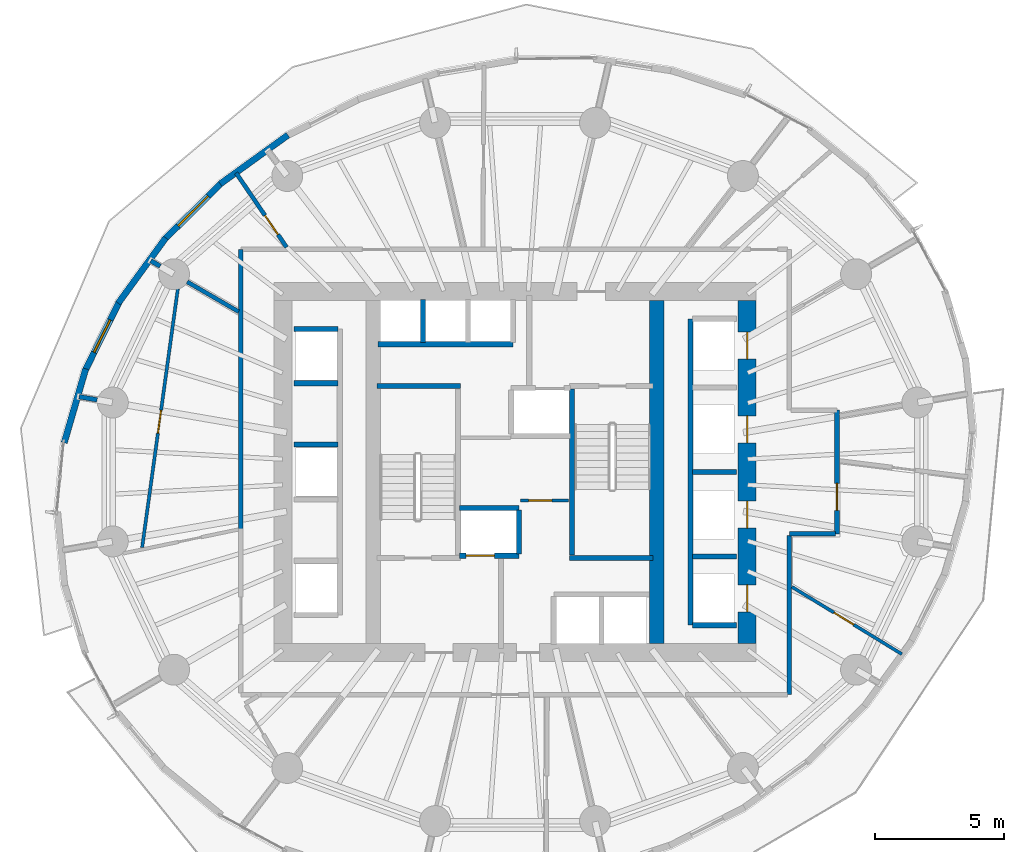
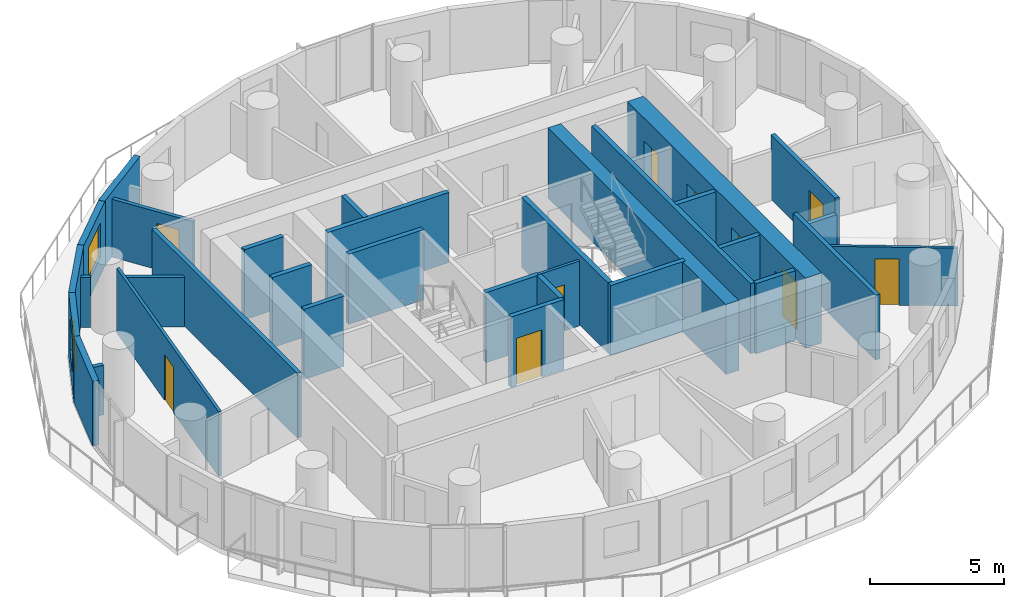
# One storey, part 8 of 14: 33 walls, 10 doors, 2 windows, 12 openings.
"""IFC4 building model written with IfcOpenShell, lengths in metres."""

import ifcopenshell
import ifcopenshell.guid

model = None  # the IFC model being written
_history = None  # IfcOwnerHistory: only IFC2X3 demands one
_inside = {}  # id of a spatial element -> (the spatial element, [elements in it])
_under = {}  # id of a project, library or spatial element -> (it, [spatial elements below it])
_declared = {}  # id of a project -> (the project, [libraries it declares])
_typed = {}  # id of a type object -> (the type object, [elements of that type])
_made_of = {}  # id of a material, layer set ... -> (it, [elements and type objects made of it])


def new_model(schema):
    """Start an empty IFC model of exactly this schema.

    Asked for "IFC4X3", IfcOpenShell would pick the latest addendum, in which some entities
    have other attributes; the version numbers below select the first issue.
    IFC2X3 requires an IfcOwnerHistory on every rooted entity: one is made here for all.
    """
    global model, _history
    if schema == "IFC4X3":
        model = ifcopenshell.file(schema_version=(4, 3, 0, 0))
    else:
        model = ifcopenshell.file(schema=schema)
    _inside.clear()
    _under.clear()
    _declared.clear()
    _typed.clear()
    _made_of.clear()
    _history = None
    if model.schema == "IFC2X3":
        org = make("IfcOrganization", Name="unknown")
        user = make(
            "IfcPersonAndOrganization",
            ThePerson=make("IfcPerson", FamilyName="unknown"),
            TheOrganization=org,
        )
        app = make(
            "IfcApplication",
            ApplicationDeveloper=org,
            Version="unknown",
            ApplicationFullName="unknown",
            ApplicationIdentifier="unknown",
        )
        _history = make(
            "IfcOwnerHistory",
            OwningUser=user,
            OwningApplication=app,
            ChangeAction="ADDED",
            CreationDate=0,
        )
    return model


def make(cls, **values):
    """One entity of the class cls with the attributes given. An attribute that is None is left unset."""
    return model.create_entity(
        cls, **{name: value for name, value in values.items() if value is not None}
    )


def rooted(cls, **values):
    """An entity with a GlobalId (a new one), such as an element, a storey or a relation."""
    return make(cls, GlobalId=ifcopenshell.guid.new(), OwnerHistory=_history, **values)


def si_unit(unit_type, name, prefix=None):
    """IfcSIUnit, for example si_unit("LENGTHUNIT", "METRE", prefix="MILLI")."""
    return make("IfcSIUnit", UnitType=unit_type, Prefix=prefix, Name=name)


def assignment(units):
    """IfcUnitAssignment: the units of a project."""
    return None if units is None else make("IfcUnitAssignment", Units=units)


def point(xyz):
    """IfcCartesianPoint."""
    return None if xyz is None else make("IfcCartesianPoint", Coordinates=xyz)


def direction(xyz):
    """IfcDirection."""
    return None if xyz is None else make("IfcDirection", DirectionRatios=xyz)


def frame(location, z_axis=None, x_axis=None):
    """IfcAxis2Placement3D, a coordinate frame: its origin and axes. An axis left out is left unset."""
    return make(
        "IfcAxis2Placement3D",
        Location=point(location),
        Axis=direction(z_axis),
        RefDirection=direction(x_axis),
    )


def frame_2d(location, x_axis=None):
    """IfcAxis2Placement2D, a coordinate frame in the plane: its origin and x axis."""
    return make(
        "IfcAxis2Placement2D", Location=point(location), RefDirection=direction(x_axis)
    )


def origin():
    """The frame at (0, 0, 0) with its axes left unset."""
    return frame((0.0, 0.0, 0.0))


def place(relative_to, where):
    """IfcLocalPlacement: puts the frame where relative to a parent placement (None: the world)."""
    return make(
        "IfcLocalPlacement", PlacementRelTo=relative_to, RelativePlacement=where
    )


def context(
    kind, dimensions, precision=None, world=None, true_north=None, identifier=None
):
    """IfcGeometricRepresentationContext, for example the 3D "Model" context."""
    return make(
        "IfcGeometricRepresentationContext",
        ContextIdentifier=identifier,
        ContextType=kind,
        CoordinateSpaceDimension=dimensions,
        Precision=precision,
        WorldCoordinateSystem=world,
        TrueNorth=true_north,
    )


def subcontext(parent, identifier, kind, view, scale=None):
    """IfcGeometricRepresentationSubContext, for example "Body" below "Model"."""
    return make(
        "IfcGeometricRepresentationSubContext",
        ContextIdentifier=identifier,
        ContextType=kind,
        ParentContext=parent,
        TargetScale=scale,
        TargetView=view,
    )


def project(units=None, contexts=None):
    """IfcProject with its units and contexts."""
    return rooted(
        "IfcProject",
        Name="project",
        RepresentationContexts=contexts,
        UnitsInContext=assignment(units),
    )


def spatial(cls, under=None, at=None, **own):
    """A site, building, storey or space (cls), placed at a placement, below another one or the project."""
    s = rooted(cls, ObjectPlacement=at, **own)
    if under is not None:
        _under.setdefault(under.id(), (under, []))[1].append(s)
    return s


def profile(cls, at=None, kind="AREA", **sizes):
    """A parametric profile (cls). Its sizes go by their IFC names, for example OverallWidth=200.0."""
    return make(cls, ProfileType=kind, Position=at, **sizes)


def rectangle(**sizes):
    """IfcRectangleProfileDef."""
    return profile("IfcRectangleProfileDef", **sizes)


def extrude(swept, where, along, depth):
    """IfcExtrudedAreaSolid: the profile swept, set in the frame where, extruded along a direction by depth."""
    return make(
        "IfcExtrudedAreaSolid",
        SweptArea=swept,
        Position=where,
        ExtrudedDirection=direction(along),
        Depth=depth,
    )


def shape(context_of_items, identifier, shape_type, items):
    """IfcShapeRepresentation: the items that make up one representation, for example the "Body"."""
    return make(
        "IfcShapeRepresentation",
        ContextOfItems=context_of_items,
        RepresentationIdentifier=identifier,
        RepresentationType=shape_type,
        Items=items,
    )


def material(Name=None, Category=None):
    """IfcMaterial."""
    return make("IfcMaterial", Name=Name, Category=Category)


def layer(
    of_material, thickness, ventilated=None, Name=None, Category=None, Priority=None
):
    """IfcMaterialLayer: one layer of a wall or slab, of a material (None: an air gap)."""
    return make(
        "IfcMaterialLayer",
        Material=of_material,
        LayerThickness=thickness,
        IsVentilated=ventilated,
        Name=Name,
        Category=Category,
        Priority=Priority,
    )


def layer_set(layers, Name=None):
    """IfcMaterialLayerSet."""
    return make("IfcMaterialLayerSet", MaterialLayers=layers, LayerSetName=Name)


def made_of(thing, what):
    """Note that an element or type object is made of a material, layer set ...; save() writes the relation."""
    if what is not None:
        _made_of.setdefault(what.id(), (what, []))[1].append(thing)
    return thing


def type_object(cls, material=None, **own):
    """A type object (cls), such as IfcWallType, which elements share."""
    return made_of(rooted(cls, **own), material)


def element(
    cls,
    number,
    at=None,
    inside=None,
    cuts=None,
    type_object=None,
    material=None,
    context=None,
    identifier="Body",
    shape_type=None,
    held_by="IfcProductDefinitionShape",
    body=None,
    shapes=None,
    **own,
):
    """One element of the class cls, such as IfcWall. Its Tag is "e" and its number.

    at: its placement. inside: the storey or other place that contains it. cuts: it is an
    opening in that element (IfcRelVoidsElement). A single representation is given by context,
    identifier, shape_type and body (its items); several are given by shapes. held_by: the class
    of the entity that holds the representations. save() writes the other relations.
    """
    e = rooted(cls, Tag="e%d" % number, ObjectPlacement=at, **own)
    if body is not None:
        shapes = [shape(context, identifier, shape_type, body)]
    if shapes is not None:
        e.Representation = make(held_by, Representations=shapes)
    if inside is not None:
        _inside.setdefault(inside.id(), (inside, []))[1].append(e)
    if cuts is not None:
        rooted(
            "IfcRelVoidsElement", RelatingBuildingElement=cuts, RelatedOpeningElement=e
        )
    if type_object is not None:
        _typed.setdefault(type_object.id(), (type_object, []))[1].append(e)
    return made_of(e, material)


def fill(opening, filler):
    """IfcRelFillsElement: the door or window that sits in an opening."""
    return rooted(
        "IfcRelFillsElement",
        RelatingOpeningElement=opening,
        RelatedBuildingElement=filler,
    )


def aggregate(whole, parts):
    """IfcRelAggregates: a whole, such as a stair, and the parts it consists of."""
    return rooted("IfcRelAggregates", RelatingObject=whole, RelatedObjects=parts)


def save(model, path):
    """Write the relations noted so far, then the file.

    IfcRelAggregates (storeys below a building ...), IfcRelContainedInSpatialStructure (elements
    in a storey), IfcRelDefinesByType, IfcRelAssociatesMaterial and IfcRelDeclares: one each for
    every whole, place, type object, material and project.
    """
    for whole, parts in _under.values():
        aggregate(whole, parts)
    for where, things in _inside.values():
        rooted(
            "IfcRelContainedInSpatialStructure",
            RelatedElements=things,
            RelatingStructure=where,
        )
    for kind, things in _typed.values():
        rooted("IfcRelDefinesByType", RelatedObjects=things, RelatingType=kind)
    for what, things in _made_of.values():
        rooted("IfcRelAssociatesMaterial", RelatedObjects=things, RelatingMaterial=what)
    for by, libraries in _declared.values():
        rooted("IfcRelDeclares", RelatingContext=by, RelatedDefinitions=libraries)
    model.write(path)


model = new_model("IFC4")

# Units and contexts
model_context = context("Model", 3, precision=1e-05, world=origin(), true_north=direction((0.0, 1.0)))
body_context = subcontext(model_context, "Body", "Model", "MODEL_VIEW")
ifc_project = project(units=[si_unit("LENGTHUNIT", "METRE"), si_unit("AREAUNIT", "SQUARE_METRE"), si_unit("VOLUMEUNIT", "CUBIC_METRE"), si_unit("PLANEANGLEUNIT", "RADIAN"), si_unit("MASSUNIT", "GRAM", prefix="KILO")], contexts=[model_context])

# Site, building, storey
site_placement = place(None, origin())
site = spatial("IfcSite", under=ifc_project, at=site_placement, CompositionType="ELEMENT")
building_placement = place(site_placement, origin())
building = spatial("IfcBuilding", under=site, at=building_placement, Name="Veldorim Arch Residences", CompositionType="ELEMENT")
storey_placement = place(building_placement, frame((0.0, 0.0, 96.47998046875)))
storey = spatial("IfcBuildingStorey", under=building, at=storey_placement, Name="L28", CompositionType="ELEMENT", Elevation=96.47998046875)

# Wall, opening, door
ifc_material_1 = material(Name="Acoustic Gypsum Board", Category="gypsum")
ifc_layer_1 = layer(ifc_material_1, 0.125, Name="Acoustic Stud Room Partition Wall 125")
ifc_layer_set_1 = layer_set([ifc_layer_1], Name="Acoustic Gypsum Board")
wall_type_1 = type_object("IfcWallType", Name="Acoustic Stud Room Partition Wall 125", PredefinedType="PARTITIONING", material=ifc_layer_set_1)
wall_1_placement = place(storey_placement, frame((32.219970703125, 22.89990234375, 0.0), z_axis=(0.0, 0.0, 1.0), x_axis=(1.0, 0.0, 0.0)))
wall_1 = element("IfcWall", 1, at=wall_1_placement, inside=storey, type_object=wall_type_1, Name="L28 interior wall WL-CA-L28-2", PredefinedType="PARTITIONING", context=body_context, shape_type="SweptSolid", body=[
    extrude(rectangle(XDim=1.860107421875, YDim=0.125, at=frame_2d((0.93017578125, 0.0))), origin(), (0.0, 0.0, 1.0), 2.955078125),
])
opening_1_placement = place(wall_1_placement, frame((0.31005859375, 0.0, 0.0)))
opening_1 = element("IfcOpeningElement", 2, at=opening_1_placement, cuts=wall_1, Name="Opening DR-SVC", PredefinedType="OPENING", context=body_context, shape_type="SweptSolid", body=[
    extrude(rectangle(XDim=0.89990234375, YDim=2.10009765625, at=frame_2d((0.449951171875, 1.050048828125))), frame((0.0, 0.072509765625, 0.0), z_axis=(0.0, -1.0, 0.0), x_axis=(1.0, 0.0, 0.0)), (0.0, 0.0, 1.0), 0.14501953125),
])
ifc_material_2 = material(Name="Fire-Rated Steel", Category="steel")
door_type_1 = type_object("IfcDoorType", Name="Riser, Shelter & Plant Room Rated Steel Door 900x2100", OperationType="SINGLE_SWING_LEFT", PredefinedType="DOOR", material=ifc_material_2)
door_1_placement = place(opening_1_placement, origin())
door_1 = element("IfcDoor", 3, at=door_1_placement, inside=storey, type_object=door_type_1, Name="L28 interior door DR-L28-CA1", OperationType="SINGLE_SWING_RIGHT", OverallHeight=2.10009765625, OverallWidth=0.89990234375, PredefinedType="DOOR", context=body_context, shape_type="SweptSolid", body=[
    extrude(rectangle(XDim=0.89990234375, YDim=2.10009765625, at=frame_2d((0.449951171875, 1.050048828125))), frame((0.0, 0.02490234375, 0.0), z_axis=(0.0, -1.0, 0.0), x_axis=(1.0, 0.0, 0.0)), (0.0, 0.0, 1.0), 0.050048828125),
])
fill(opening_1, door_1)

wall_2_placement = place(storey_placement, frame((46.994873046875, 16.9404296875, 0.0), z_axis=(0.0, 0.0, 1.0), x_axis=(-0.85322505129, 0.521542914678, 0.0)))
wall_2 = element("IfcWall", 4, at=wall_2_placement, inside=storey, type_object=wall_type_1, Name="L28 interior wall WL-RES-L28-018", PredefinedType="PARTITIONING", context=body_context, shape_type="SweptSolid", body=[
    extrude(rectangle(XDim=4.99560546875, YDim=0.125, at=frame_2d((2.497802734375, 0.0))), origin(), (0.0, 0.0, 1.0), 2.641357421875),
])
opening_2_placement = place(wall_2_placement, frame((2.187744140625, 0.0, 0.0)))
opening_2 = element("IfcOpeningElement", 5, at=opening_2_placement, cuts=wall_2, Name="Opening DR-INT", PredefinedType="OPENING", context=body_context, shape_type="SweptSolid", body=[
    extrude(rectangle(XDim=0.89990234375, YDim=2.10009765625, at=frame_2d((0.449951171875, 1.050048828125))), frame((0.0, 0.072509765625, 0.0), z_axis=(0.0, -1.0, 0.0), x_axis=(1.0, 0.0, 0.0)), (0.0, 0.0, 1.0), 0.14501953125),
])
ifc_material_3 = material(Name="Engineered Timber", Category="wood")
door_type_2 = type_object("IfcDoorType", Name="Apartment Internal Room Timber Door 900x2100", OperationType="SINGLE_SWING_LEFT", PredefinedType="DOOR", material=ifc_material_3)
door_2_placement = place(opening_2_placement, origin())
door_2 = element("IfcDoor", 6, at=door_2_placement, inside=storey, type_object=door_type_2, Name="L28 interior door DR-RES-L28-006", OperationType="SINGLE_SWING_RIGHT", OverallHeight=2.10009765625, OverallWidth=0.89990234375, PredefinedType="DOOR", context=body_context, shape_type="SweptSolid", body=[
    extrude(rectangle(XDim=0.89990234375, YDim=2.10009765625, at=frame_2d((0.449951171875, 1.050048828125))), frame((0.0, 0.02490234375, 0.0), z_axis=(0.0, -1.0, 0.0), x_axis=(1.0, 0.0, 0.0)), (0.0, 0.0, 1.0), 0.050048828125),
])
fill(opening_2, door_2)

wall_3_placement = place(storey_placement, frame((17.542236328125, 21.072509765625, 0.0), z_axis=(0.0, 0.0, 1.0), x_axis=(0.136714950607, 0.99061042912, 0.0)))
wall_3 = element("IfcWall", 7, at=wall_3_placement, inside=storey, type_object=wall_type_1, Name="L28 interior wall WL-RES-L28-032", PredefinedType="PARTITIONING", context=body_context, shape_type="SweptSolid", body=[
    extrude(rectangle(XDim=10.119873046875, YDim=0.125, at=frame_2d((5.06005859375, 0.0))), origin(), (0.0, 0.0, 1.0), 2.955078125),
])
opening_3_placement = place(wall_3_placement, frame((4.469970703125, 0.0, 0.0)))
opening_3 = element("IfcOpeningElement", 8, at=opening_3_placement, cuts=wall_3, Name="Opening DR-INT", PredefinedType="OPENING", context=body_context, shape_type="SweptSolid", body=[
    extrude(rectangle(XDim=0.89990234375, YDim=2.10009765625, at=frame_2d((0.449951171875, 1.050048828125))), frame((0.0, 0.072509765625, 0.0), z_axis=(0.0, -1.0, 0.0), x_axis=(1.0, 0.0, 0.0)), (0.0, 0.0, 1.0), 0.14501953125),
])
door_3_placement = place(opening_3_placement, origin())
door_3 = element("IfcDoor", 9, at=door_3_placement, inside=storey, type_object=door_type_2, Name="L28 interior door DR-RES-L28-019", OperationType="SINGLE_SWING_LEFT", OverallHeight=2.10009765625, OverallWidth=0.89990234375, PredefinedType="DOOR", context=body_context, shape_type="SweptSolid", body=[
    extrude(rectangle(XDim=0.89990234375, YDim=2.10009765625, at=frame_2d((0.449951171875, 1.050048828125))), frame((0.0, 0.02490234375, 0.0), z_axis=(0.0, -1.0, 0.0), x_axis=(1.0, 0.0, 0.0)), (0.0, 0.0, 1.0), 0.050048828125),
])
fill(opening_3, door_3)

# Walls
ifc_material_4 = material(Name="Lightweight Masonry Block & Gypsum", Category="masonry")
ifc_layer_2 = layer(ifc_material_4, 0.179931640625, Name="Compartment & Corridor Fire-Rated Party Wall 180")
ifc_layer_set_2 = layer_set([ifc_layer_2], Name="Lightweight Masonry Block & Gypsum")
wall_type_2 = type_object("IfcWallType", Name="Compartment & Corridor Fire-Rated Party Wall 180", PredefinedType="PARTITIONING", material=ifc_layer_set_2)
wall_4_placement = place(storey_placement, frame((18.243408203125, 31.977783203125, 0.0), z_axis=(0.0, 0.0, 1.0), x_axis=(-0.864926134071, 0.501899175733, 0.0)))
element("IfcWall", 10, at=wall_4_placement, inside=storey, type_object=wall_type_2, Name="L28 interior wall WL-PIER-L28-07", PredefinedType="PARTITIONING", context=body_context, shape_type="SweptSolid", body=[
    extrude(rectangle(XDim=0.423583984375, YDim=0.179931640625, at=frame_2d((0.2119140625, 0.0))), origin(), (0.0, 0.0, 1.0), 2.260498046875),
])
wall_5_placement = place(storey_placement, frame((15.79443359375, 26.797607421875, 0.0), z_axis=(0.0, 0.0, 1.0), x_axis=(-0.985420399327, 0.17013711115, 0.0)))
element("IfcWall", 11, at=wall_5_placement, inside=storey, type_object=wall_type_2, Name="L28 interior wall WL-PIER-L28-08", PredefinedType="PARTITIONING", context=body_context, shape_type="SweptSolid", body=[
    extrude(rectangle(XDim=0.710205078125, YDim=0.179931640625, at=frame_2d((0.35498046875, 0.0))), origin(), (0.0, 0.0, 1.0), 2.260498046875),
])

# Wall, opening, door
wall_6_placement = place(storey_placement, frame((44.47998046875, 26.39990234375, 0.0), z_axis=(0.0, 0.0, 1.0), x_axis=(0.0, -1.0, 0.0)))
wall_6 = element("IfcWall", 12, at=wall_6_placement, inside=storey, type_object=wall_type_2, Name="L28 interior wall WL-RES-L28-002", PredefinedType="PARTITIONING", context=body_context, shape_type="SweptSolid", body=[
    extrude(rectangle(XDim=4.7998046875, YDim=0.179931640625, at=frame_2d((2.39990234375, 0.0))), origin(), (0.0, 0.0, 1.0), 2.955078125),
])
opening_4_placement = place(wall_6_placement, frame((2.839599609375, 0.0, 0.0)))
opening_4 = element("IfcOpeningElement", 13, at=opening_4_placement, cuts=wall_6, Name="Opening DR-FLT", PredefinedType="OPENING", context=body_context, shape_type="SweptSolid", body=[
    extrude(rectangle(XDim=1.050048828125, YDim=2.14990234375, at=frame_2d((0.52490234375, 1.074951171875))), frame((0.0, 0.099853515625, 0.0), z_axis=(0.0, -1.0, 0.0), x_axis=(1.0, 0.0, 0.0)), (0.0, 0.0, 1.0), 0.199951171875),
])
ifc_material_5 = material(Name="Fire-Rated Timber", Category="wood")
door_type_3 = type_object("IfcDoorType", Name="Apartment Entrance Solid-Core Fire Door 1050x2150", OperationType="SINGLE_SWING_LEFT", PredefinedType="DOOR", material=ifc_material_5)
door_4_placement = place(opening_4_placement, origin())
door_4 = element("IfcDoor", 14, at=door_4_placement, inside=storey, type_object=door_type_3, Name="L28 interior door DR-RES-L28-004", OperationType="SINGLE_SWING_RIGHT", OverallHeight=2.14990234375, OverallWidth=1.050048828125, PredefinedType="DOOR", context=body_context, shape_type="SweptSolid", body=[
    extrude(rectangle(XDim=1.050048828125, YDim=2.14990234375, at=frame_2d((0.52490234375, 1.074951171875))), frame((0.0, 0.02490234375, 0.0), z_axis=(0.0, -1.0, 0.0), x_axis=(1.0, 0.0, 0.0)), (0.0, 0.0, 1.0), 0.050048828125),
])
fill(opening_4, door_4)

# Walls
wall_7_placement = place(storey_placement, frame((44.419921875, 21.60009765625, 0.0), z_axis=(0.0, 0.0, 1.0), x_axis=(-1.0, 0.0, 0.0)))
element("IfcWall", 15, at=wall_7_placement, inside=storey, type_object=wall_type_2, Name="L28 interior wall WL-RES-L28-003", PredefinedType="PARTITIONING", context=body_context, shape_type="SweptSolid", body=[
    extrude(rectangle(XDim=1.7900390625, YDim=0.179931640625, at=frame_2d((0.89501953125, 0.0))), origin(), (0.0, 0.0, 1.0), 2.260498046875),
])
wall_8_placement = place(storey_placement, frame((42.6298828125, 21.5400390625, 0.0), z_axis=(0.0, 0.0, 1.0), x_axis=(0.0, -1.0, 0.0)))
element("IfcWall", 16, at=wall_8_placement, inside=storey, type_object=wall_type_2, Name="L28 interior wall WL-RES-L28-004", PredefinedType="PARTITIONING", context=body_context, shape_type="SweptSolid", body=[
    extrude(rectangle(XDim=6.169921875, YDim=0.179931640625, at=frame_2d((3.0849609375, 0.0))), origin(), (0.0, 0.0, 1.0), 2.955078125),
])
wall_9_placement = place(storey_placement, frame((21.3701171875, 21.770751953125, 0.0), z_axis=(0.0, 0.0, 1.0), x_axis=(0.0, 1.0, 0.0)))
element("IfcWall", 17, at=wall_9_placement, inside=storey, type_object=wall_type_2, Name="L28 interior wall WL-RES-L28-010", PredefinedType="PARTITIONING", context=body_context, shape_type="SweptSolid", body=[
    extrude(rectangle(XDim=10.859130859375, YDim=0.179931640625, at=frame_2d((5.4296875, 0.0))), origin(), (0.0, 0.0, 1.0), 2.955078125),
])
ifc_material_6 = material(Name="Concrete C50/60", Category="concrete")
ifc_layer_3 = layer(ifc_material_6, 0.199951171875, Name="Core Stair & Lift Shaft Enclosure Wall 200")
ifc_layer_set_3 = layer_set([ifc_layer_3], Name="Concrete C50/60")
wall_type_3 = type_object("IfcWallType", Name="Core Stair & Lift Shaft Enclosure Wall 200", PredefinedType="SHEAR", material=ifc_layer_set_3)
wall_10_placement = place(storey_placement, frame((26.64990234375, 27.330078125, 0.0), z_axis=(0.0, 0.0, 1.0), x_axis=(1.0, 0.0, 0.0)))
element("IfcWall", 18, at=wall_10_placement, inside=storey, type_object=wall_type_3, Name="L28 shaft wall WL-SHF-L28-ST1-N", PredefinedType="SHEAR", context=body_context, shape_type="SweptSolid", body=[
    extrude(rectangle(XDim=3.239990234375, YDim=0.199951171875, at=frame_2d((1.6201171875, 0.0))), origin(), (0.0, 0.0, 1.0), 3.199951171875),
])
wall_11_placement = place(storey_placement, frame((34.2099609375, 20.780029296875, 0.0), z_axis=(0.0, 0.0, 1.0), x_axis=(0.0, 1.0, 0.0)))
element("IfcWall", 19, at=wall_11_placement, inside=storey, type_object=wall_type_3, Name="L28 shaft wall WL-SHF-L28-ST2-W", PredefinedType="SHEAR", context=body_context, shape_type="SweptSolid", body=[
    extrude(rectangle(XDim=6.43994140625, YDim=0.199951171875, at=frame_2d((3.219970703125, 0.0))), origin(), (0.0, 0.0, 1.0), 3.199951171875),
])
wall_12_placement = place(storey_placement, frame((34.110107421875, 20.669921875, 0.0), z_axis=(0.0, 0.0, 1.0), x_axis=(1.0, 0.0, 0.0)))
element("IfcWall", 20, at=wall_12_placement, inside=storey, type_object=wall_type_3, Name="L28 shaft wall WL-SHF-L28-ST2-S", PredefinedType="SHEAR", context=body_context, shape_type="SweptSolid", body=[
    extrude(rectangle(XDim=3.239990234375, YDim=0.199951171875, at=frame_2d((1.6201171875, 0.0))), origin(), (0.0, 0.0, 1.0), 3.199951171875),
])

# Wall, opening, door
wall_13_placement = place(storey_placement, frame((29.85009765625, 20.75, 0.0), z_axis=(0.0, 0.0, 1.0), x_axis=(1.0, 0.0, 0.0)))
wall_13 = element("IfcWall", 21, at=wall_13_placement, inside=storey, type_object=wall_type_3, Name="L28 shaft wall WL-FL01-L28-S", PredefinedType="SHEAR", context=body_context, shape_type="SweptSolid", body=[
    extrude(rectangle(XDim=2.2998046875, YDim=0.199951171875, at=frame_2d((1.14990234375, 0.0))), origin(), (0.0, 0.0, 1.0), 3.199951171875),
])
opening_5_placement = place(wall_13_placement, frame((0.25, 0.0, 0.0)))
opening_5 = element("IfcOpeningElement", 22, at=opening_5_placement, cuts=wall_13, Name="Opening LD-FF", PredefinedType="OPENING", context=body_context, shape_type="SweptSolid", body=[
    extrude(rectangle(XDim=1.10009765625, YDim=2.14990234375, at=frame_2d((0.550048828125, 1.074951171875))), frame((0.0, 0.10986328125, 0.0), z_axis=(0.0, -1.0, 0.0), x_axis=(1.0, 0.0, 0.0)), (0.0, 0.0, 1.0), 0.219970703125),
])
ifc_material_7 = material(Name="Stainless Steel", Category="steel")
door_type_4 = type_object("IfcDoorType", Name="Firefighting Lift Bi-Parting Sliding Landing Door 1100x2150", OperationType="DOUBLE_DOOR_SLIDING", PredefinedType="DOOR", material=ifc_material_7)
door_5_placement = place(opening_5_placement, origin())
door_5 = element("IfcDoor", 23, at=door_5_placement, inside=storey, type_object=door_type_4, Name="L28 lift landing door LD-L28-FL01", OperationType="DOUBLE_DOOR_SLIDING", OverallHeight=2.14990234375, OverallWidth=1.10009765625, PredefinedType="DOOR", context=body_context, shape_type="SweptSolid", body=[
    extrude(rectangle(XDim=1.10009765625, YDim=2.14990234375, at=frame_2d((0.550048828125, 1.074951171875))), frame((0.0, 0.02490234375, 0.0), z_axis=(0.0, -1.0, 0.0), x_axis=(1.0, 0.0, 0.0)), (0.0, 0.0, 1.0), 0.050048828125),
])
fill(opening_5, door_5)

# Walls
wall_14_placement = place(storey_placement, frame((29.85009765625, 22.60009765625, 0.0), z_axis=(0.0, 0.0, 1.0), x_axis=(1.0, 0.0, 0.0)))
element("IfcWall", 24, at=wall_14_placement, inside=storey, type_object=wall_type_3, Name="L28 shaft wall WL-FL01-L28-N", PredefinedType="SHEAR", context=body_context, shape_type="SweptSolid", body=[
    extrude(rectangle(XDim=2.2998046875, YDim=0.199951171875, at=frame_2d((1.14990234375, 0.0))), origin(), (0.0, 0.0, 1.0), 3.199951171875),
])
wall_15_placement = place(storey_placement, frame((32.14990234375, 20.820068359375, 0.0), z_axis=(0.0, 0.0, 1.0), x_axis=(0.0, 1.0, 0.0)))
element("IfcWall", 25, at=wall_15_placement, inside=storey, type_object=wall_type_3, Name="L28 shaft wall WL-FL01-L28-E", PredefinedType="SHEAR", context=body_context, shape_type="SweptSolid", body=[
    extrude(rectangle(XDim=1.7099609375, YDim=0.199951171875, at=frame_2d((0.85498046875, 0.0))), origin(), (0.0, 0.0, 1.0), 3.199951171875),
])
wall_16_placement = place(storey_placement, frame((38.800048828125, 18.06005859375, 0.0), z_axis=(0.0, 0.0, 1.0), x_axis=(0.0, 1.0, 0.0)))
element("IfcWall", 26, at=wall_16_placement, inside=storey, type_object=wall_type_3, Name="L28 shaft wall WL-B1-L28-W", PredefinedType="SHEAR", context=body_context, shape_type="SweptSolid", body=[
    extrude(rectangle(XDim=11.8798828125, YDim=0.199951171875, at=frame_2d((5.93994140625, 0.0))), origin(), (0.0, 0.0, 1.0), 3.199951171875),
])
for number, where, z_axis, x_axis, name in (
    (27, (38.8701171875, 18.06005859375, 0.0), (0.0, 0.0, 1.0), (1.0, 0.0, 0.0), "L28 shaft wall WL-B1-L28-S"),
    (28, (38.8701171875, 20.72509765625, 0.0), (0.0, 0.0, 1.0), (1.0, 0.0, 0.0), "L28 shaft wall WL-B1-L28-D1"),
    (29, (38.8701171875, 24.0, 0.0), (0.0, 0.0, 1.0), (1.0, 0.0, 0.0), "L28 shaft wall WL-B1-L28-D2"),
    (30, (23.419921875, 29.5400390625, 0.0), (0.0, 0.0, 1.0), (1.0, 0.0, 0.0), "L28 shaft wall WL-B2-L28-N"),
    (31, (23.419921875, 25.06005859375, 0.0), (0.0, 0.0, 1.0), (1.0, 0.0, 0.0), "L28 shaft wall WL-B2-L28-D2A"),
    (32, (23.419921875, 27.43994140625, 0.0), (0.0, 0.0, 1.0), (1.0, 0.0, 0.0), "L28 shaft wall WL-B2-L28-D2B"),
):
    element("IfcWall", number, at=place(storey_placement, frame(where, z_axis=z_axis, x_axis=x_axis)), inside=storey, type_object=wall_type_3, Name=name, PredefinedType="SHEAR", context=body_context, shape_type="SweptSolid", body=[
        extrude(rectangle(XDim=1.7099609375, YDim=0.199951171875, at=frame_2d((0.85498046875, 0.0))), origin(), (0.0, 0.0, 1.0), 3.199951171875),
    ])
wall_17_placement = place(storey_placement, frame((26.679931640625, 28.949951171875, 0.0), z_axis=(0.0, 0.0, 1.0), x_axis=(1.0, 0.0, 0.0)))
element("IfcWall", 33, at=wall_17_placement, inside=storey, type_object=wall_type_3, Name="L28 shaft wall WL-B3-L28-S", PredefinedType="SHEAR", context=body_context, shape_type="SweptSolid", body=[
    extrude(rectangle(XDim=5.239990234375, YDim=0.199951171875, at=frame_2d((2.6201171875, 0.0))), origin(), (0.0, 0.0, 1.0), 3.199951171875),
])
wall_18_placement = place(storey_placement, frame((28.425048828125, 29.02001953125, 0.0), z_axis=(0.0, 0.0, 1.0), x_axis=(0.0, 1.0, 0.0)))
element("IfcWall", 34, at=wall_18_placement, inside=storey, type_object=wall_type_3, Name="L28 shaft wall WL-B3-L28-D1", PredefinedType="SHEAR", context=body_context, shape_type="SweptSolid", body=[
    extrude(rectangle(XDim=1.659912109375, YDim=0.199951171875, at=frame_2d((0.830078125, 0.0))), origin(), (0.0, 0.0, 1.0), 3.199951171875),
])
ifc_material_8 = material(Name="Concrete C60/75", Category="concrete")
ifc_layer_4 = layer(ifc_material_8, 0.56005859375, Name="Internal Core Shear Web Wall 560")
ifc_layer_set_4 = layer_set([ifc_layer_4], Name="Concrete C60/75")
wall_type_4 = type_object("IfcWallType", Name="Internal Core Shear Web Wall 560", PredefinedType="SHEAR", material=ifc_layer_set_4)
wall_19_placement = place(storey_placement, frame((37.5, 17.35009765625, 0.0), z_axis=(0.0, 0.0, 1.0), x_axis=(0.0, 1.0, 0.0)))
element("IfcWall", 35, at=wall_19_placement, inside=storey, type_object=wall_type_4, Name="L28 core east internal shear web", PredefinedType="SHEAR", context=body_context, shape_type="SweptSolid", body=[
    extrude(rectangle(XDim=13.2998046875, YDim=0.56005859375, at=frame_2d((6.64990234375, 0.0))), origin(), (0.0, 0.0, 1.0), 3.199951171875),
])

# Wall, openings, doors
ifc_material_9 = material(Name="Concrete C60/75", Category="concrete")
ifc_layer_5 = layer(ifc_material_9, 0.699951171875, Name="Mid-Lower Central Core Shear Wall 700")
ifc_layer_set_5 = layer_set([ifc_layer_5], Name="Concrete C60/75")
wall_type_5 = type_object("IfcWallType", Name="Mid-Lower Central Core Shear Wall 700", PredefinedType="SHEAR", material=ifc_layer_set_5)
wall_20_placement = place(storey_placement, frame((41.0, 17.35009765625, 0.0), z_axis=(0.0, 0.0, 1.0), x_axis=(0.0, 1.0, 0.0)))
wall_20 = element("IfcWall", 36, at=wall_20_placement, inside=storey, type_object=wall_type_5, Name="L28 central core east shear wall", PredefinedType="SHEAR", context=body_context, shape_type="SweptSolid", body=[
    extrude(rectangle(XDim=13.2998046875, YDim=0.699951171875, at=frame_2d((6.64990234375, 0.0))), origin(), (0.0, 0.0, 1.0), 3.199951171875),
])
opening_6_placement = place(wall_20_placement, frame((1.22509765625, 0.0, 0.0)))
opening_6 = element("IfcOpeningElement", 37, at=opening_6_placement, cuts=wall_20, Name="Opening LD-PS", PredefinedType="OPENING", context=body_context, shape_type="SweptSolid", body=[
    extrude(rectangle(XDim=1.050048828125, YDim=2.14990234375, at=frame_2d((0.52490234375, 1.074951171875))), frame((0.0, 0.35986328125, 0.0), z_axis=(0.0, -1.0, 0.0), x_axis=(1.0, 0.0, 0.0)), (0.0, 0.0, 1.0), 0.719970703125),
])
opening_7_placement = place(wall_20_placement, frame((4.47509765625, 0.0, 0.0)))
opening_7 = element("IfcOpeningElement", 38, at=opening_7_placement, cuts=wall_20, Name="Opening LD-PS", PredefinedType="OPENING", context=body_context, shape_type="SweptSolid", body=[
    extrude(rectangle(XDim=1.050048828125, YDim=2.14990234375, at=frame_2d((0.52490234375, 1.074951171875))), frame((0.0, 0.35986328125, 0.0), z_axis=(0.0, -1.0, 0.0), x_axis=(1.0, 0.0, 0.0)), (0.0, 0.0, 1.0), 0.719970703125),
])
opening_8_placement = place(wall_20_placement, frame((7.77490234375, 0.0, 0.0)))
opening_8 = element("IfcOpeningElement", 39, at=opening_8_placement, cuts=wall_20, Name="Opening LD-PS", PredefinedType="OPENING", context=body_context, shape_type="SweptSolid", body=[
    extrude(rectangle(XDim=1.050048828125, YDim=2.14990234375, at=frame_2d((0.52490234375, 1.074951171875))), frame((0.0, 0.35986328125, 0.0), z_axis=(0.0, -1.0, 0.0), x_axis=(1.0, 0.0, 0.0)), (0.0, 0.0, 1.0), 0.719970703125),
])
opening_9_placement = place(wall_20_placement, frame((11.02490234375, 0.0, 0.0)))
opening_9 = element("IfcOpeningElement", 40, at=opening_9_placement, cuts=wall_20, Name="Opening LD-PS", PredefinedType="OPENING", context=body_context, shape_type="SweptSolid", body=[
    extrude(rectangle(XDim=1.050048828125, YDim=2.14990234375, at=frame_2d((0.52490234375, 1.074951171875))), frame((0.0, 0.35986328125, 0.0), z_axis=(0.0, -1.0, 0.0), x_axis=(1.0, 0.0, 0.0)), (0.0, 0.0, 1.0), 0.719970703125),
])
ifc_material_10 = material(Name="Stainless Steel", Category="steel")
door_type_5 = type_object("IfcDoorType", Name="Passenger Lift Bi-Parting Sliding Landing Door 1050x2150", OperationType="DOUBLE_DOOR_SLIDING", PredefinedType="DOOR", material=ifc_material_10)
door_6_placement = place(opening_6_placement, origin())
door_6 = element("IfcDoor", 41, at=door_6_placement, inside=storey, type_object=door_type_5, Name="L28 lift landing door LD-L28-PL-01", OperationType="DOUBLE_DOOR_SLIDING", OverallHeight=2.14990234375, OverallWidth=1.050048828125, PredefinedType="DOOR", context=body_context, shape_type="SweptSolid", body=[
    extrude(rectangle(XDim=1.050048828125, YDim=2.14990234375, at=frame_2d((0.52490234375, 1.074951171875))), frame((0.0, 0.02490234375, 0.0), z_axis=(0.0, -1.0, 0.0), x_axis=(1.0, 0.0, 0.0)), (0.0, 0.0, 1.0), 0.050048828125),
])
fill(opening_6, door_6)
door_7_placement = place(opening_7_placement, origin())
door_7 = element("IfcDoor", 42, at=door_7_placement, inside=storey, type_object=door_type_5, Name="L28 lift landing door LD-L28-PL-02", OperationType="DOUBLE_DOOR_SLIDING", OverallHeight=2.14990234375, OverallWidth=1.050048828125, PredefinedType="DOOR", context=body_context, shape_type="SweptSolid", body=[
    extrude(rectangle(XDim=1.050048828125, YDim=2.14990234375, at=frame_2d((0.52490234375, 1.074951171875))), frame((0.0, 0.02490234375, 0.0), z_axis=(0.0, -1.0, 0.0), x_axis=(1.0, 0.0, 0.0)), (0.0, 0.0, 1.0), 0.050048828125),
])
fill(opening_7, door_7)
door_8_placement = place(opening_8_placement, origin())
door_8 = element("IfcDoor", 43, at=door_8_placement, inside=storey, type_object=door_type_5, Name="L28 lift landing door LD-L28-PL-03", OperationType="DOUBLE_DOOR_SLIDING", OverallHeight=2.14990234375, OverallWidth=1.050048828125, PredefinedType="DOOR", context=body_context, shape_type="SweptSolid", body=[
    extrude(rectangle(XDim=1.050048828125, YDim=2.14990234375, at=frame_2d((0.52490234375, 1.074951171875))), frame((0.0, 0.02490234375, 0.0), z_axis=(0.0, -1.0, 0.0), x_axis=(1.0, 0.0, 0.0)), (0.0, 0.0, 1.0), 0.050048828125),
])
fill(opening_8, door_8)
door_9_placement = place(opening_9_placement, origin())
door_9 = element("IfcDoor", 44, at=door_9_placement, inside=storey, type_object=door_type_5, Name="L28 lift landing door LD-L28-PL-04", OperationType="DOUBLE_DOOR_SLIDING", OverallHeight=2.14990234375, OverallWidth=1.050048828125, PredefinedType="DOOR", context=body_context, shape_type="SweptSolid", body=[
    extrude(rectangle(XDim=1.050048828125, YDim=2.14990234375, at=frame_2d((0.52490234375, 1.074951171875))), frame((0.0, 0.02490234375, 0.0), z_axis=(0.0, -1.0, 0.0), x_axis=(1.0, 0.0, 0.0)), (0.0, 0.0, 1.0), 0.050048828125),
])
fill(opening_9, door_9)

# Wall
ifc_material_11 = material(Name="Precast concrete C40/50", Category="concrete")
ifc_layer_6 = layer(ifc_material_11, 0.25, Name="Tower Terracotta Spandrel & Pier Wall 250")
ifc_layer_set_6 = layer_set([ifc_layer_6], Name="Precast concrete C40/50")
wall_type_6 = type_object("IfcWallType", Name="Tower Terracotta Spandrel & Pier Wall 250", PredefinedType="SOLIDWALL", material=ifc_layer_set_6)
wall_21_placement = place(storey_placement, frame((20.568359375, 35.171142578125, 0.0), z_axis=(0.0, 0.0, 1.0), x_axis=(0.81131534838, 0.584608762749, 0.0)))
element("IfcWall", 45, at=wall_21_placement, inside=storey, type_object=wall_type_6, Name="L28 terracotta facade wall 11", PredefinedType="SOLIDWALL", context=body_context, shape_type="SweptSolid", body=[
    extrude(rectangle(XDim=3.236083984375, YDim=0.25, at=frame_2d((1.6181640625, 0.0))), origin(), (0.0, 0.0, 1.0), 2.9599609375),
])

# Wall, opening, window
wall_22_placement = place(storey_placement, frame((18.3837890625, 32.995849609375, 0.0), z_axis=(0.0, 0.0, 1.0), x_axis=(0.710540573889, 0.703656232017, 0.0)))
wall_22 = element("IfcWall", 46, at=wall_22_placement, inside=storey, type_object=wall_type_6, Name="L28 terracotta facade wall 12", PredefinedType="SOLIDWALL", context=body_context, shape_type="SweptSolid", body=[
    extrude(rectangle(XDim=3.191650390625, YDim=0.25, at=frame_2d((1.595703125, 0.0))), origin(), (0.0, 0.0, 1.0), 2.9599609375),
])
opening_10_placement = place(wall_22_placement, frame((0.77099609375, 0.0, 0.85009765625)))
opening_10 = element("IfcOpeningElement", 47, at=opening_10_placement, cuts=wall_22, Name="Opening WN-03", PredefinedType="OPENING", context=body_context, shape_type="SweptSolid", body=[
    extrude(rectangle(XDim=1.64990234375, YDim=1.550048828125, at=frame_2d((0.824951171875, 0.77490234375))), frame((0.0, 0.135009765625, 0.0), z_axis=(0.0, -1.0, 0.0), x_axis=(1.0, 0.0, 0.0)), (0.0, 0.0, 1.0), 0.27001953125),
])
ifc_material_12 = material(Name="Laminated Low-E Glass", Category="glass")
window_type_1 = type_object("IfcWindowType", Name="Residential Wide Window 1650x1550", PartitioningType="SINGLE_PANEL", PredefinedType="WINDOW", material=ifc_material_12)
window_1_placement = place(opening_10_placement, origin())
window_1 = element("IfcWindow", 48, at=window_1_placement, inside=storey, type_object=window_type_1, Name="L28 solar-control facade window 12", OverallHeight=1.550048828125, OverallWidth=1.64990234375, PartitioningType="SINGLE_PANEL", PredefinedType="WINDOW", context=body_context, shape_type="SweptSolid", body=[
    extrude(rectangle(XDim=1.64990234375, YDim=1.550048828125, at=frame_2d((0.824951171875, 0.77490234375))), frame((0.0, 0.030029296875, 0.0), z_axis=(0.0, -1.0, 0.0), x_axis=(1.0, 0.0, 0.0)), (0.0, 0.0, 1.0), 0.06005859375),
])
fill(opening_10, window_1)

# Wall
wall_23_placement = place(storey_placement, frame((16.613525390625, 30.546875, 0.0), z_axis=(0.0, 0.0, 1.0), x_axis=(0.588208785685, 0.808709109905, 0.0)))
element("IfcWall", 49, at=wall_23_placement, inside=storey, type_object=wall_type_6, Name="L28 terracotta facade wall 13", PredefinedType="SOLIDWALL", context=body_context, shape_type="SweptSolid", body=[
    extrude(rectangle(XDim=3.131103515625, YDim=0.25, at=frame_2d((1.5654296875, 0.0))), origin(), (0.0, 0.0, 1.0), 2.9599609375),
])

# Wall, opening, window
wall_24_placement = place(storey_placement, frame((15.31201171875, 27.899169921875, 0.0), z_axis=(0.0, 0.0, 1.0), x_axis=(0.443988069997, 0.896032696781, 0.0)))
wall_24 = element("IfcWall", 50, at=wall_24_placement, inside=storey, type_object=wall_type_6, Name="L28 terracotta facade wall 14", PredefinedType="SOLIDWALL", context=body_context, shape_type="SweptSolid", body=[
    extrude(rectangle(XDim=3.060546875, YDim=0.25, at=frame_2d((1.5302734375, 0.0))), origin(), (0.0, 0.0, 1.0), 2.9599609375),
])
opening_11_placement = place(wall_24_placement, frame((0.830078125, 0.0, 0.85009765625)))
opening_11 = element("IfcOpeningElement", 51, at=opening_11_placement, cuts=wall_24, Name="Opening WN-02", PredefinedType="OPENING", context=body_context, shape_type="SweptSolid", body=[
    extrude(rectangle(XDim=1.39990234375, YDim=1.550048828125, at=frame_2d((0.699951171875, 0.77490234375))), frame((0.0, 0.135009765625, 0.0), z_axis=(0.0, -1.0, 0.0), x_axis=(1.0, 0.0, 0.0)), (0.0, 0.0, 1.0), 0.27001953125),
])
ifc_material_13 = material(Name="Laminated Low-E Glass", Category="glass")
window_type_2 = type_object("IfcWindowType", Name="Residential Casement Window 1400x1550", PartitioningType="SINGLE_PANEL", PredefinedType="WINDOW", material=ifc_material_13)
window_2_placement = place(opening_11_placement, origin())
window_2 = element("IfcWindow", 52, at=window_2_placement, inside=storey, type_object=window_type_2, Name="L28 solar-control facade window 14", OverallHeight=1.550048828125, OverallWidth=1.39990234375, PartitioningType="SINGLE_PANEL", PredefinedType="WINDOW", context=body_context, shape_type="SweptSolid", body=[
    extrude(rectangle(XDim=1.39990234375, YDim=1.550048828125, at=frame_2d((0.699951171875, 0.77490234375))), frame((0.0, 0.030029296875, 0.0), z_axis=(0.0, -1.0, 0.0), x_axis=(1.0, 0.0, 0.0)), (0.0, 0.0, 1.0), 0.06005859375),
])
fill(opening_11, window_2)

# Wall
wall_25_placement = place(storey_placement, frame((14.5185546875, 25.133544921875, 0.0), z_axis=(0.0, 0.0, 1.0), x_axis=(0.279152874041, 0.960246672952, 0.0)))
element("IfcWall", 53, at=wall_25_placement, inside=storey, type_object=wall_type_6, Name="L28 terracotta facade wall 15", PredefinedType="SOLIDWALL", context=body_context, shape_type="SweptSolid", body=[
    extrude(rectangle(XDim=2.988525390625, YDim=0.25, at=frame_2d((1.494140625, 0.0))), origin(), (0.0, 0.0, 1.0), 2.9599609375),
])

# Wall, opening, door
ifc_material_14 = material(Name="Moisture-Resistant Gypsum & Stud", Category="gypsum")
ifc_layer_7 = layer(ifc_material_14, 0.159912109375, Name="Wet-Area Moisture-Resistant Plumbing Wall 160")
ifc_layer_set_7 = layer_set([ifc_layer_7], Name="Moisture-Resistant Gypsum & Stud")
wall_type_7 = type_object("IfcWallType", Name="Wet-Area Moisture-Resistant Plumbing Wall 160", PredefinedType="PLUMBINGWALL", material=ifc_layer_set_7)
wall_26_placement = place(storey_placement, frame((23.1416015625, 32.712646484375, 0.0), z_axis=(0.0, 0.0, 1.0), x_axis=(-0.561921019334, 0.827190889717, 0.0)))
wall_26 = element("IfcWall", 54, at=wall_26_placement, inside=storey, type_object=wall_type_7, Name="L28 interior wall WL-RES-L28-027", PredefinedType="PLUMBINGWALL", context=body_context, shape_type="SweptSolid", body=[
    extrude(rectangle(XDim=3.4853515625, YDim=0.159912109375, at=frame_2d((1.74267578125, 0.0))), origin(), (0.0, 0.0, 1.0), 2.641357421875),
])
opening_12_placement = place(wall_26_placement, frame((0.5927734375, 0.0, 0.0)))
opening_12 = element("IfcOpeningElement", 55, at=opening_12_placement, cuts=wall_26, Name="Opening DR-WC", PredefinedType="OPENING", context=body_context, shape_type="SweptSolid", body=[
    extrude(rectangle(XDim=0.89990234375, YDim=2.10009765625, at=frame_2d((0.449951171875, 1.050048828125))), frame((0.0, 0.08984375, 0.0), z_axis=(0.0, -1.0, 0.0), x_axis=(1.0, 0.0, 0.0)), (0.0, 0.0, 1.0), 0.179931640625),
])
ifc_material_15 = material(Name="Laminate Timber", Category="wood")
door_type_6 = type_object("IfcDoorType", Name="Bathroom & Accessible WC Moisture-Sealed Door 900x2100", OperationType="SINGLE_SWING_LEFT", PredefinedType="DOOR", material=ifc_material_15)
door_10_placement = place(opening_12_placement, origin())
door_10 = element("IfcDoor", 56, at=door_10_placement, inside=storey, type_object=door_type_6, Name="L28 interior door DR-RES-L28-015", OperationType="SINGLE_SWING_LEFT", OverallHeight=2.10009765625, OverallWidth=0.89990234375, PredefinedType="DOOR", context=body_context, shape_type="SweptSolid", body=[
    extrude(rectangle(XDim=0.89990234375, YDim=2.10009765625, at=frame_2d((0.449951171875, 1.050048828125))), frame((0.0, 0.02490234375, 0.0), z_axis=(0.0, -1.0, 0.0), x_axis=(1.0, 0.0, 0.0)), (0.0, 0.0, 1.0), 0.050048828125),
])
fill(opening_12, door_10)

# Wall
wall_27_placement = place(storey_placement, frame((21.283447265625, 30.21484375, 0.0), z_axis=(0.0, 0.0, 1.0), x_axis=(-0.865054150745, 0.501678498921, 0.0)))
element("IfcWall", 57, at=wall_27_placement, inside=storey, type_object=wall_type_7, Name="L28 interior wall WL-RES-L28-028", PredefinedType="PLUMBINGWALL", context=body_context, shape_type="SweptSolid", body=[
    extrude(rectangle(XDim=2.30712890625, YDim=0.159912109375, at=frame_2d((1.153564453125, 0.0))), origin(), (0.0, 0.0, 1.0), 2.260498046875),
])

save(model, "model.ifc")
